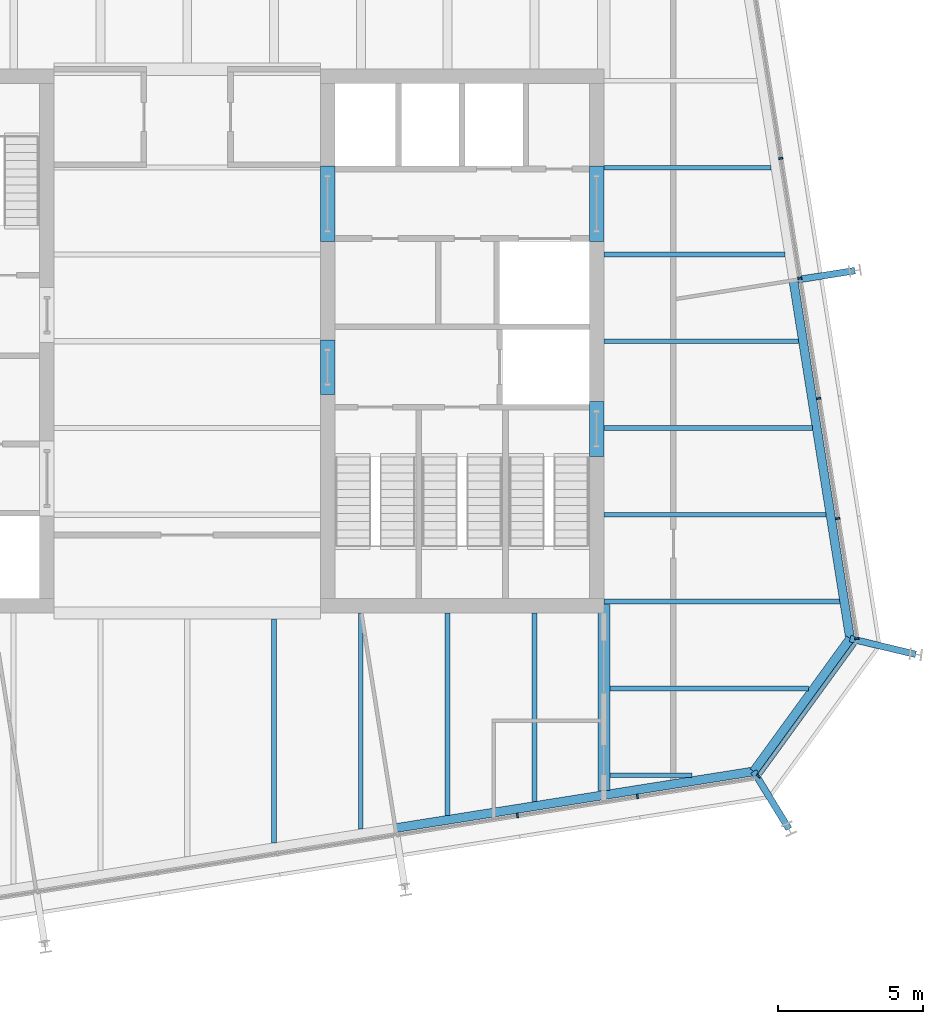
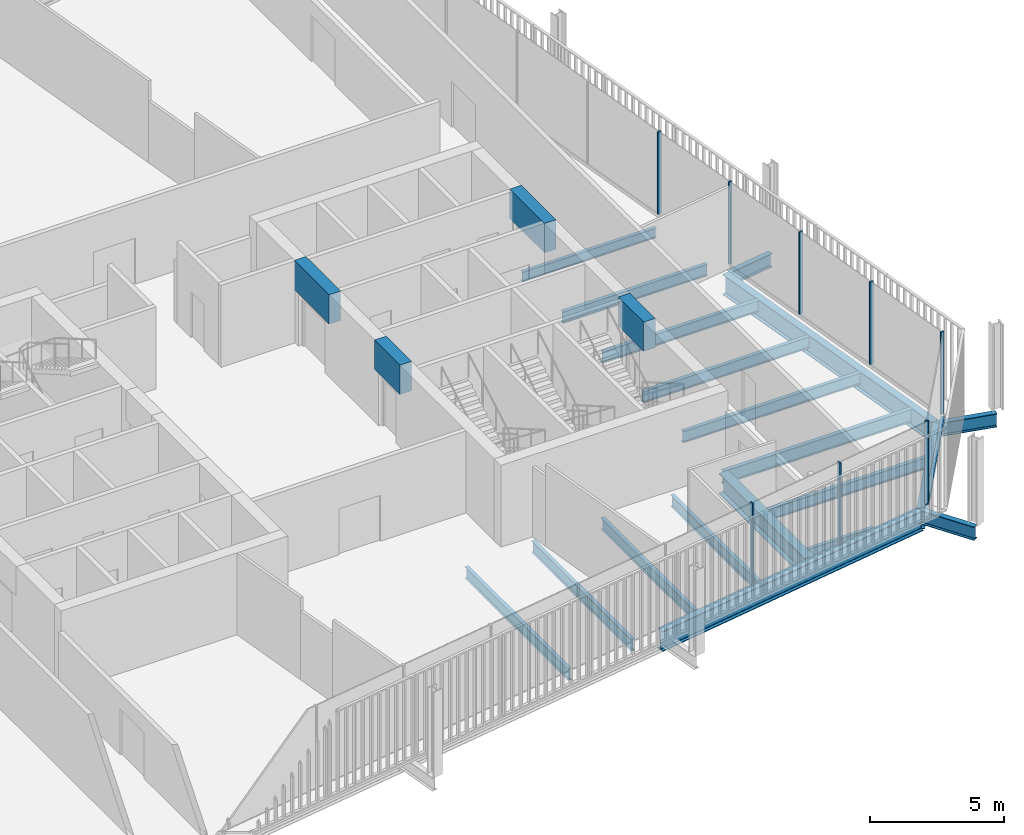
# One storey, part 8 of 20: 23 beams, 9 members, 3 elements without a shape of their own.
"""IFC4 building model written with IfcOpenShell, lengths in metres."""

from ifc_helpers import new_model, si_unit, direction, frame, origin, origin_2d, place, context, subcontext, project, spatial, rectangle, i_section, extrude, material, layer, layer_set, material_profile, profile_set, type_object, element, aggregate, save


model = new_model("IFC4")

# Units and contexts
model_context = context("Model", 3, precision=1e-05, world=origin(), true_north=direction((0.0, 1.0)))
body_context = subcontext(model_context, "Body", "Model", "MODEL_VIEW")
ifc_project = project(units=[si_unit("LENGTHUNIT", "METRE"), si_unit("AREAUNIT", "SQUARE_METRE"), si_unit("VOLUMEUNIT", "CUBIC_METRE"), si_unit("PLANEANGLEUNIT", "RADIAN"), si_unit("MASSUNIT", "GRAM", prefix="KILO")], contexts=[model_context])

# Site, building, storey
site_placement = place(None, origin())
site = spatial("IfcSite", under=ifc_project, at=site_placement, CompositionType="ELEMENT")
building_placement = place(site_placement, origin())
building = spatial("IfcBuilding", under=site, at=building_placement, Name="Millrace Tower", CompositionType="ELEMENT")
storey_placement = place(building_placement, frame((0.0, 0.0, 232.0)))
storey = spatial("IfcBuildingStorey", under=building, at=storey_placement, Name="L53", CompositionType="ELEMENT", Elevation=232.0)

# Curtain wall, members
ifc_material_1 = material(Name="Aluminium and glass", Category="aluminium")
ifc_layer = layer(ifc_material_1, 0.14990234375)
ifc_layer_set = layer_set([ifc_layer], Name="Aluminium and glass")
curtain_wall_type = type_object("IfcCurtainWallType", Name="CW-1 office vision curtain wall", PredefinedType="NOTDEFINED", material=ifc_layer_set)
placement = place(storey_placement, origin())
curtain_wall_1 = element("IfcCurtainWall", 1, at=placement, inside=storey, type_object=curtain_wall_type, Name="Curtain wall D-F02 L53", PredefinedType="NOTDEFINED")
ifc_material_2 = material(Name="Aluminium", Category="aluminium")
ifc_material_profile_1 = material_profile(ifc_material_2, rectangle(XDim=0.06494140625, YDim=0.14990234375, at=origin_2d()))
ifc_profile_set_1 = profile_set([ifc_material_profile_1], Name="Aluminium")
member_type_1 = type_object("IfcMemberType", Name="CW-1 office vision curtain wall mullion", PredefinedType="MULLION", material=ifc_profile_set_1)
member_1_placement = place(storey_placement, frame((11.41259765625, -16.393310546875, 0.139892578125), z_axis=(0.0, 0.0, 1.0), x_axis=(0.987688339511, 0.156434471884, 0.0)))
member_1 = element("IfcMember", 2, at=member_1_placement, type_object=member_type_1, Name="CW1 mullion D-F02.8", PredefinedType="MULLION", context=body_context, shape_type="SweptSolid", body=[
    extrude(rectangle(XDim=0.06494140625, YDim=0.14990234375, at=origin_2d()), origin(), (0.0, 0.0, 1.0), 3.760009765625),
])
member_2_placement = place(storey_placement, frame((15.560791015625, -15.736328125, 0.139892578125), z_axis=(0.0, 0.0, 1.0), x_axis=(0.987688339511, 0.156434471884, 0.0)))
member_2 = element("IfcMember", 3, at=member_2_placement, type_object=member_type_1, Name="CW1 mullion D-F02.9", PredefinedType="MULLION", context=body_context, shape_type="SweptSolid", body=[
    extrude(rectangle(XDim=0.06494140625, YDim=0.14990234375, at=origin_2d()), origin(), (0.0, 0.0, 1.0), 3.760009765625),
])
aggregate(curtain_wall_1, [member_1, member_2])

# Curtain wall, member
curtain_wall_2 = element("IfcCurtainWall", 4, at=placement, inside=storey, type_object=curtain_wall_type, Name="Curtain wall D-F03 L53", PredefinedType="NOTDEFINED")
member_3_placement = place(storey_placement, frame((19.7451171875, -15.028076171875, 0.139892578125), z_axis=(0.0, 0.0, 1.0), x_axis=(0.587785305991, 0.809016955361, 0.0)))
member_3 = element("IfcMember", 5, at=member_3_placement, type_object=member_type_1, Name="CW1 mullion D-F03.1", PredefinedType="MULLION", context=body_context, shape_type="SweptSolid", body=[
    extrude(rectangle(XDim=0.06494140625, YDim=0.14990234375, at=origin_2d()), origin(), (0.0, 0.0, 1.0), 3.760009765625),
])

# Curtain wall, members
curtain_wall_3 = element("IfcCurtainWall", 6, at=placement, inside=storey, type_object=curtain_wall_type, Name="Curtain wall D-F04 L53", PredefinedType="NOTDEFINED")
member_4_placement = place(storey_placement, frame((23.142333984375, -10.275390625, 0.139892578125), z_axis=(0.0, 0.0, 1.0), x_axis=(-0.156434471884, 0.987688339511, 0.0)))
member_4 = element("IfcMember", 7, at=member_4_placement, type_object=member_type_1, Name="CW1 mullion D-F04.1", PredefinedType="MULLION", context=body_context, shape_type="SweptSolid", body=[
    extrude(rectangle(XDim=0.06494140625, YDim=0.14990234375, at=origin_2d()), origin(), (0.0, 0.0, 1.0), 3.760009765625),
])
member_5_placement = place(storey_placement, frame((22.4853515625, -6.127197265625, 0.139892578125), z_axis=(0.0, 0.0, 1.0), x_axis=(-0.156434471884, 0.987688339511, 0.0)))
member_5 = element("IfcMember", 8, at=member_5_placement, type_object=member_type_1, Name="CW1 mullion D-F04.2", PredefinedType="MULLION", context=body_context, shape_type="SweptSolid", body=[
    extrude(rectangle(XDim=0.06494140625, YDim=0.14990234375, at=origin_2d()), origin(), (0.0, 0.0, 1.0), 3.760009765625),
])
member_6_placement = place(storey_placement, frame((21.828369140625, -1.97900390625, 0.139892578125), z_axis=(0.0, 0.0, 1.0), x_axis=(-0.156434471884, 0.987688339511, 0.0)))
member_6 = element("IfcMember", 9, at=member_6_placement, type_object=member_type_1, Name="CW1 mullion D-F04.3", PredefinedType="MULLION", context=body_context, shape_type="SweptSolid", body=[
    extrude(rectangle(XDim=0.06494140625, YDim=0.14990234375, at=origin_2d()), origin(), (0.0, 0.0, 1.0), 3.760009765625),
])
member_7_placement = place(storey_placement, frame((21.17138671875, 2.16943359375, 0.139892578125), z_axis=(0.0, 0.0, 1.0), x_axis=(-0.156434471884, 0.987688339511, 0.0)))
member_7 = element("IfcMember", 10, at=member_7_placement, type_object=member_type_1, Name="CW1 mullion D-F04.4", PredefinedType="MULLION", context=body_context, shape_type="SweptSolid", body=[
    extrude(rectangle(XDim=0.06494140625, YDim=0.14990234375, at=origin_2d()), origin(), (0.0, 0.0, 1.0), 3.760009765625),
])
member_8_placement = place(storey_placement, frame((20.514404296875, 6.317626953125, 0.139892578125), z_axis=(0.0, 0.0, 1.0), x_axis=(-0.156434471884, 0.987688339511, 0.0)))
member_8 = element("IfcMember", 11, at=member_8_placement, type_object=member_type_1, Name="CW1 mullion D-F04.5", PredefinedType="MULLION", context=body_context, shape_type="SweptSolid", body=[
    extrude(rectangle(XDim=0.06494140625, YDim=0.14990234375, at=origin_2d()), origin(), (0.0, 0.0, 1.0), 3.760009765625),
])
aggregate(curtain_wall_3, [member_4, member_5, member_6, member_7, member_8])

# Member
ifc_material_3 = material(Name="Aluminium", Category="aluminium")
ifc_material_profile_2 = material_profile(ifc_material_3, rectangle(XDim=0.14990234375, YDim=0.139892578125, at=origin_2d()))
ifc_profile_set_2 = profile_set([ifc_material_profile_2], Name="Aluminium")
member_type_2 = type_object("IfcMemberType", Name="CW-1 office vision curtain wall transom", PredefinedType="USERDEFINED", material=ifc_profile_set_2)
member_9_placement = place(storey_placement, frame((19.78466796875, -14.973388671875, 0.070068359375), z_axis=(0.587811213399, 0.808998131891, 0.0), x_axis=(-0.808998131891, 0.587811213399, 0.0)))
member_9 = element("IfcMember", 12, at=member_9_placement, type_object=member_type_2, Name="CW1 transom D-F03.1", ObjectType="TRANSOM", PredefinedType="USERDEFINED", context=body_context, shape_type="SweptSolid", body=[
    extrude(rectangle(XDim=0.14990234375, YDim=0.139892578125, at=origin_2d()), origin(), (0.0, 0.0, 1.0), 5.598388671875),
])

aggregate(curtain_wall_2, [member_3, member_9])

# Beams
ifc_material_4 = material(Name="Concrete C60", Category="concrete")
ifc_material_profile_3 = material_profile(ifc_material_4, rectangle(XDim=0.5, YDim=1.340087890625, at=origin_2d()))
ifc_profile_set_3 = profile_set([ifc_material_profile_3], Name="Concrete C60")
beam_type_1 = type_object("IfcBeamType", Name="Coupling beam 500 x 1340 Concrete C60, 1300 opening", PredefinedType="BEAM", material=ifc_profile_set_3)
beam_1_placement = place(storey_placement, frame((14.14990234375, -2.080078125, 3.070068359375), z_axis=(0.0, -1.0, 0.0), x_axis=(1.0, 0.0, 0.0)))
element("IfcBeam", 13, at=beam_1_placement, inside=storey, type_object=beam_type_1, Name="Coupling beam E L53", PredefinedType="BEAM", context=body_context, shape_type="SweptSolid", body=[
    extrude(rectangle(XDim=0.5, YDim=1.340087890625, at=origin_2d()), origin(), (0.0, 0.0, 1.0), 1.89990234375),
])
beam_2_placement = place(storey_placement, frame((4.85009765625, 0.050048828125, 3.070068359375), z_axis=(0.0, -1.0, 0.0), x_axis=(1.0, 0.0, 0.0)))
element("IfcBeam", 14, at=beam_2_placement, inside=storey, type_object=beam_type_1, Name="Coupling beam E L53", PredefinedType="BEAM", context=body_context, shape_type="SweptSolid", body=[
    extrude(rectangle(XDim=0.5, YDim=1.340087890625, at=origin_2d()), origin(), (0.0, 0.0, 1.0), 1.900146484375),
])
ifc_material_5 = material(Name="Concrete C60", Category="concrete")
ifc_material_profile_4 = material_profile(ifc_material_5, rectangle(XDim=0.5, YDim=1.340087890625, at=origin_2d()))
ifc_profile_set_4 = profile_set([ifc_material_profile_4], Name="Concrete C60")
beam_type_2 = type_object("IfcBeamType", Name="Coupling beam 500 x 1340 Concrete C60, 2000 opening", PredefinedType="BEAM", material=ifc_profile_set_4)
for number, where, z_axis, x_axis, name in (
    (15, (14.14990234375, 6.050048828125, 3.070068359375), (0.0, -1.0, 0.0), (1.0, 0.0, 0.0), "Coupling beam E L53"),
    (16, (4.85009765625, 6.050048828125, 3.070068359375), (0.0, -1.0, 0.0), (1.0, 0.0, 0.0), "Coupling beam E L53"),
):
    element("IfcBeam", number, at=place(storey_placement, frame(where, z_axis=z_axis, x_axis=x_axis)), inside=storey, type_object=beam_type_2, Name=name, PredefinedType="BEAM", context=body_context, shape_type="SweptSolid", body=[
        extrude(rectangle(XDim=0.5, YDim=1.340087890625, at=origin_2d()), origin(), (0.0, 0.0, 1.0), 2.60009765625),
    ])
ifc_material_6 = material(Name="Steel ASTM A992 Grade 50", Category="steel")
ifc_material_profile_5 = material_profile(ifc_material_6, i_section(OverallWidth=0.15234375, OverallDepth=0.449462890625, WebThickness=0.007568359375, FlangeThickness=0.0107421875, FilletRadius=0.01025390625, at=origin_2d()))
ifc_profile_set_5 = profile_set([ifc_material_profile_5], Name="Steel ASTM A992 Grade 50")
beam_type_3 = type_object("IfcBeamType", Name="Floor beam W18x35", PredefinedType="JOIST", material=ifc_profile_set_5)
beam_3_placement = place(storey_placement, frame((14.39990234375, 6.0, -0.384765625), z_axis=(1.0, 0.0, 0.0), x_axis=(0.0, 1.0, 0.0)))
element("IfcBeam", 17, at=beam_3_placement, inside=storey, type_object=beam_type_3, Name="BM-D-L53-S1-S022", PredefinedType="JOIST", context=body_context, shape_type="SweptSolid", body=[
    extrude(i_section(OverallWidth=0.15234375, OverallDepth=0.449462890625, WebThickness=0.007568359375, FlangeThickness=0.0107421875, FilletRadius=0.01025390625, at=origin_2d()), origin(), (0.0, 0.0, 1.0), 5.777587890625),
])
beam_4_placement = place(storey_placement, frame((14.609619140625, -15.0, -0.384765625), z_axis=(1.0, 0.0, 0.0), x_axis=(0.0, 1.0, 0.0)))
element("IfcBeam", 18, at=beam_4_placement, inside=storey, type_object=beam_type_3, Name="BM-D-L53-S1-S003", PredefinedType="JOIST", context=body_context, shape_type="SweptSolid", body=[
    extrude(i_section(OverallWidth=0.15234375, OverallDepth=0.449462890625, WebThickness=0.007568359375, FlangeThickness=0.0107421875, FilletRadius=0.01025390625, at=origin_2d()), origin(), (0.0, 0.0, 1.0), 2.839599609375),
])
ifc_material_7 = material(Name="Steel ASTM A992 Grade 50", Category="steel")
ifc_material_profile_6 = material_profile(ifc_material_7, i_section(OverallWidth=0.1650390625, OverallDepth=0.52587890625, WebThickness=0.0087890625, FlangeThickness=0.011474609375, FilletRadius=0.0126953125, at=origin_2d()))
ifc_profile_set_6 = profile_set([ifc_material_profile_6], Name="Steel ASTM A992 Grade 50")
beam_type_4 = type_object("IfcBeamType", Name="Floor beam W21x44", PredefinedType="JOIST", material=ifc_profile_set_6)
beam_5_placement = place(storey_placement, frame((14.609619140625, -12.0, -0.4228515625), z_axis=(1.0, 0.0, 0.0), x_axis=(0.0, 1.0, 0.0)))
element("IfcBeam", 19, at=beam_5_placement, inside=storey, type_object=beam_type_4, Name="BM-D-L53-S1-S005", PredefinedType="JOIST", context=body_context, shape_type="SweptSolid", body=[
    extrude(i_section(OverallWidth=0.1650390625, OverallDepth=0.52587890625, WebThickness=0.0087890625, FlangeThickness=0.011474609375, FilletRadius=0.0126953125, at=origin_2d()), origin(), (0.0, 0.0, 1.0), 6.86279296875),
])
beam_6_placement = place(storey_placement, frame((14.39990234375, -6.0, -0.4228515625), z_axis=(1.0, 0.0, 0.0), x_axis=(0.0, 1.0, 0.0)))
element("IfcBeam", 20, at=beam_6_placement, inside=storey, type_object=beam_type_4, Name="BM-D-L53-S1-S010", PredefinedType="JOIST", context=body_context, shape_type="SweptSolid", body=[
    extrude(i_section(OverallWidth=0.1650390625, OverallDepth=0.52587890625, WebThickness=0.0087890625, FlangeThickness=0.011474609375, FilletRadius=0.0126953125, at=origin_2d()), origin(), (0.0, 0.0, 1.0), 7.67822265625),
])
beam_7_placement = place(storey_placement, frame((14.39990234375, -3.0, -0.4228515625), z_axis=(1.0, 0.0, 0.0), x_axis=(0.0, 1.0, 0.0)))
element("IfcBeam", 21, at=beam_7_placement, inside=storey, type_object=beam_type_4, Name="BM-D-L53-S1-S013", PredefinedType="JOIST", context=body_context, shape_type="SweptSolid", body=[
    extrude(i_section(OverallWidth=0.1650390625, OverallDepth=0.52587890625, WebThickness=0.0087890625, FlangeThickness=0.011474609375, FilletRadius=0.0126953125, at=origin_2d()), origin(), (0.0, 0.0, 1.0), 7.203125),
])
beam_8_placement = place(storey_placement, frame((14.39990234375, 0.0, -0.4228515625), z_axis=(1.0, 0.0, 0.0), x_axis=(0.0, 1.0, 0.0)))
element("IfcBeam", 22, at=beam_8_placement, inside=storey, type_object=beam_type_4, Name="BM-D-L53-S1-S016", PredefinedType="JOIST", context=body_context, shape_type="SweptSolid", body=[
    extrude(i_section(OverallWidth=0.1650390625, OverallDepth=0.52587890625, WebThickness=0.0087890625, FlangeThickness=0.011474609375, FilletRadius=0.0126953125, at=origin_2d()), origin(), (0.0, 0.0, 1.0), 6.72802734375),
])
beam_9_placement = place(storey_placement, frame((14.39990234375, 3.0, -0.4228515625), z_axis=(1.0, 0.0, 0.0), x_axis=(0.0, 1.0, 0.0)))
element("IfcBeam", 23, at=beam_9_placement, inside=storey, type_object=beam_type_4, Name="BM-D-L53-S1-S019", PredefinedType="JOIST", context=body_context, shape_type="SweptSolid", body=[
    extrude(i_section(OverallWidth=0.1650390625, OverallDepth=0.52587890625, WebThickness=0.0087890625, FlangeThickness=0.011474609375, FilletRadius=0.0126953125, at=origin_2d()), origin(), (0.0, 0.0, 1.0), 6.252685546875),
])
beam_10_placement = place(storey_placement, frame((3.0, -17.338623046875, -0.4228515625), z_axis=(0.0, 1.0, 0.0), x_axis=(-1.0, 0.0, 0.0)))
element("IfcBeam", 24, at=beam_10_placement, inside=storey, type_object=beam_type_4, Name="BM-D-L53-S1-S047", PredefinedType="JOIST", context=body_context, shape_type="SweptSolid", body=[
    extrude(i_section(OverallWidth=0.1650390625, OverallDepth=0.52587890625, WebThickness=0.0087890625, FlangeThickness=0.011474609375, FilletRadius=0.0126953125, at=origin_2d()), origin(), (0.0, 0.0, 1.0), 7.72900390625),
])
beam_11_placement = place(storey_placement, frame((6.0, -16.863525390625, -0.4228515625), z_axis=(0.0, 1.0, 0.0), x_axis=(-1.0, 0.0, 0.0)))
element("IfcBeam", 25, at=beam_11_placement, inside=storey, type_object=beam_type_4, Name="BM-D-L53-S1-S049", PredefinedType="JOIST", context=body_context, shape_type="SweptSolid", body=[
    extrude(i_section(OverallWidth=0.1650390625, OverallDepth=0.52587890625, WebThickness=0.0087890625, FlangeThickness=0.011474609375, FilletRadius=0.0126953125, at=origin_2d()), origin(), (0.0, 0.0, 1.0), 7.463623046875),
])
beam_12_placement = place(storey_placement, frame((9.0, -16.38818359375, -0.4228515625), z_axis=(0.0, 1.0, 0.0), x_axis=(-1.0, 0.0, 0.0)))
element("IfcBeam", 26, at=beam_12_placement, inside=storey, type_object=beam_type_4, Name="BM-D-L53-S1-S051", PredefinedType="JOIST", context=body_context, shape_type="SweptSolid", body=[
    extrude(i_section(OverallWidth=0.1650390625, OverallDepth=0.52587890625, WebThickness=0.0087890625, FlangeThickness=0.011474609375, FilletRadius=0.0126953125, at=origin_2d()), origin(), (0.0, 0.0, 1.0), 6.98828125),
])
beam_13_placement = place(storey_placement, frame((12.0, -15.9130859375, -0.4228515625), z_axis=(0.0, 1.0, 0.0), x_axis=(-1.0, 0.0, 0.0)))
element("IfcBeam", 27, at=beam_13_placement, inside=storey, type_object=beam_type_4, Name="BM-D-L53-S1-S053", PredefinedType="JOIST", context=body_context, shape_type="SweptSolid", body=[
    extrude(i_section(OverallWidth=0.1650390625, OverallDepth=0.52587890625, WebThickness=0.0087890625, FlangeThickness=0.011474609375, FilletRadius=0.0126953125, at=origin_2d()), origin(), (0.0, 0.0, 1.0), 6.51318359375),
])
ifc_material_8 = material(Name="Steel ASTM A992 Grade 50", Category="steel")
ifc_material_profile_7 = material_profile(ifc_material_8, i_section(OverallWidth=0.177978515625, OverallDepth=0.599365234375, WebThickness=0.010009765625, FlangeThickness=0.012939453125, FilletRadius=0.012939453125, at=origin_2d()))
ifc_profile_set_7 = profile_set([ifc_material_profile_7], Name="Steel ASTM A992 Grade 50")
beam_type_5 = type_object("IfcBeamType", Name="Floor beam W24x55", PredefinedType="JOIST", material=ifc_profile_set_7)
beam_14_placement = place(storey_placement, frame((14.39990234375, -9.0, -0.459716796875), z_axis=(1.0, 0.0, 0.0), x_axis=(0.0, 1.0, 0.0)))
element("IfcBeam", 28, at=beam_14_placement, inside=storey, type_object=beam_type_5, Name="BM-D-L53-S1-S007", PredefinedType="JOIST", context=body_context, shape_type="SweptSolid", body=[
    extrude(i_section(OverallWidth=0.177978515625, OverallDepth=0.599365234375, WebThickness=0.010009765625, FlangeThickness=0.012939453125, FilletRadius=0.012939453125, at=origin_2d()), origin(), (0.0, 0.0, 1.0), 8.1533203125),
])
ifc_material_9 = material(Name="Steel ASTM A992 Grade 50", Category="steel")
ifc_material_profile_8 = material_profile(ifc_material_9, i_section(OverallWidth=0.419189453125, OverallDepth=0.927001953125, WebThickness=0.019287109375, FlangeThickness=0.031982421875, FilletRadius=0.024169921875, at=origin_2d()))
ifc_profile_set_8 = profile_set([ifc_material_profile_8], Name="Steel ASTM A992 Grade 50")
beam_type_6 = type_object("IfcBeamType", Name="Girder short span W36x231", PredefinedType="BEAM", material=ifc_profile_set_8)
beam_15_placement = place(storey_placement, frame((14.39990234375, -15.52490234375, -0.62353515625), z_axis=(0.0, 1.0, 0.0), x_axis=(-1.0, 0.0, 0.0)))
element("IfcBeam", 29, at=beam_15_placement, inside=storey, type_object=beam_type_6, Name="BM-D-L53-S1-G057", PredefinedType="BEAM", context=body_context, shape_type="SweptSolid", body=[
    extrude(i_section(OverallWidth=0.419189453125, OverallDepth=0.927001953125, WebThickness=0.019287109375, FlangeThickness=0.031982421875, FilletRadius=0.024169921875, at=origin_2d()), origin(), (0.0, 0.0, 1.0), 6.432861328125),
])
ifc_material_10 = material(Name="Steel ASTM A992 Grade 50", Category="steel")
ifc_material_profile_9 = material_profile(ifc_material_10, i_section(OverallWidth=0.23046875, OverallDepth=0.6171875, WebThickness=0.01318359375, FlangeThickness=0.022216796875, FilletRadius=0.012939453125, at=origin_2d()))
ifc_profile_set_9 = profile_set([ifc_material_profile_9], Name="Steel ASTM A992 Grade 50")
beam_type_7 = type_object("IfcBeamType", Name="Link beam W24x94", PredefinedType="BEAM", material=ifc_profile_set_9)
beam_16_placement = place(storey_placement, frame((21.102294921875, 2.12548828125, -0.468505859375), z_axis=(0.987678691416, 0.156495375404, 0.0), x_axis=(-0.156495375404, 0.987678691416, 0.0)))
element("IfcBeam", 30, at=beam_16_placement, inside=storey, type_object=beam_type_7, Name="LNK-D-L53-S1-11", PredefinedType="BEAM", context=body_context, shape_type="SweptSolid", body=[
    extrude(i_section(OverallWidth=0.23046875, OverallDepth=0.6171875, WebThickness=0.01318359375, FlangeThickness=0.022216796875, FilletRadius=0.012939453125, at=origin_2d()), origin(), (0.0, 0.0, 1.0), 2.0),
])
beam_17_placement = place(storey_placement, frame((22.91162109375, -10.280517578125, -0.468505859375), z_axis=(0.972373041068, -0.233432364948, 0.0), x_axis=(0.233432364948, 0.972373041068, 0.0)))
element("IfcBeam", 31, at=beam_17_placement, inside=storey, type_object=beam_type_7, Name="LNK-D-L53-S1-12", PredefinedType="BEAM", context=body_context, shape_type="SweptSolid", body=[
    extrude(i_section(OverallWidth=0.23046875, OverallDepth=0.6171875, WebThickness=0.01318359375, FlangeThickness=0.022216796875, FilletRadius=0.012939453125, at=origin_2d()), origin(), (0.0, 0.0, 1.0), 2.331298828125),
])
beam_18_placement = place(storey_placement, frame((19.578369140625, -14.868408203125, -0.468505859375), z_axis=(0.522512938711, -0.852631355792, 0.0), x_axis=(0.852631355792, 0.522512938711, 0.0)))
element("IfcBeam", 32, at=beam_18_placement, inside=storey, type_object=beam_type_7, Name="LNK-D-L53-S1-13", PredefinedType="BEAM", context=body_context, shape_type="SweptSolid", body=[
    extrude(i_section(OverallWidth=0.23046875, OverallDepth=0.6171875, WebThickness=0.01318359375, FlangeThickness=0.022216796875, FilletRadius=0.012939453125, at=origin_2d()), origin(), (0.0, 0.0, 1.0), 2.3310546875),
])
ifc_material_11 = material(Name="Steel ASTM A992 Grade 50", Category="steel")
ifc_material_profile_10 = material_profile(ifc_material_11, i_section(OverallWidth=0.307373046875, OverallDepth=0.927001953125, WebThickness=0.01953125, FlangeThickness=0.031982421875, FilletRadius=0.01904296875, at=origin_2d()))
ifc_profile_set_10 = profile_set([ifc_material_profile_10], Name="Steel ASTM A992 Grade 50")
beam_type_8 = type_object("IfcBeamType", Name="Ring beam medium span W36x194", PredefinedType="SPANDREL", material=ifc_profile_set_10)
for number, where, z_axis, x_axis, name in (
    (33, (20.95068359375, 2.1015625, -0.62353515625), (0.156419577072, -0.987690698503, 0.0), (0.987690698503, 0.156419577072, 0.0), "RNG-D-L53-S1-11"),
    (34, (19.578369140625, -14.868408203125, -0.62353515625), (-0.987687689625, -0.156438575049, 0.0), (0.156438575049, -0.987687689625, 0.0), "RNG-D-L53-S1-13"),
):
    element("IfcBeam", number, at=place(storey_placement, frame(where, z_axis=z_axis, x_axis=x_axis)), inside=storey, type_object=beam_type_8, Name=name, PredefinedType="SPANDREL", context=body_context, shape_type="SweptSolid", body=[
        extrude(i_section(OverallWidth=0.307373046875, OverallDepth=0.927001953125, WebThickness=0.01953125, FlangeThickness=0.031982421875, FilletRadius=0.01904296875, at=origin_2d()), origin(), (0.0, 0.0, 1.0), 12.536376953125),
    ])
ifc_material_12 = material(Name="Steel ASTM A992 Grade 50", Category="steel")
ifc_material_profile_11 = material_profile(ifc_material_12, i_section(OverallWidth=0.307373046875, OverallDepth=0.927001953125, WebThickness=0.01953125, FlangeThickness=0.031982421875, FilletRadius=0.01904296875, at=origin_2d()))
ifc_profile_set_11 = profile_set([ifc_material_profile_11], Name="Steel ASTM A992 Grade 50")
beam_type_9 = type_object("IfcBeamType", Name="Ring beam short span W36x194", PredefinedType="SPANDREL", material=ifc_profile_set_11)
beam_19_placement = place(storey_placement, frame((22.91162109375, -10.280517578125, -0.62353515625), z_axis=(-0.587779977844, -0.80902082646, 0.0), x_axis=(0.80902082646, -0.587779977844, 0.0)))
element("IfcBeam", 35, at=beam_19_placement, inside=storey, type_object=beam_type_9, Name="RNG-D-L53-S1-12", PredefinedType="SPANDREL", context=body_context, shape_type="SweptSolid", body=[
    extrude(i_section(OverallWidth=0.307373046875, OverallDepth=0.927001953125, WebThickness=0.01953125, FlangeThickness=0.031982421875, FilletRadius=0.01904296875, at=origin_2d()), origin(), (0.0, 0.0, 1.0), 5.6708984375),
])

save(model, "model.ifc")
